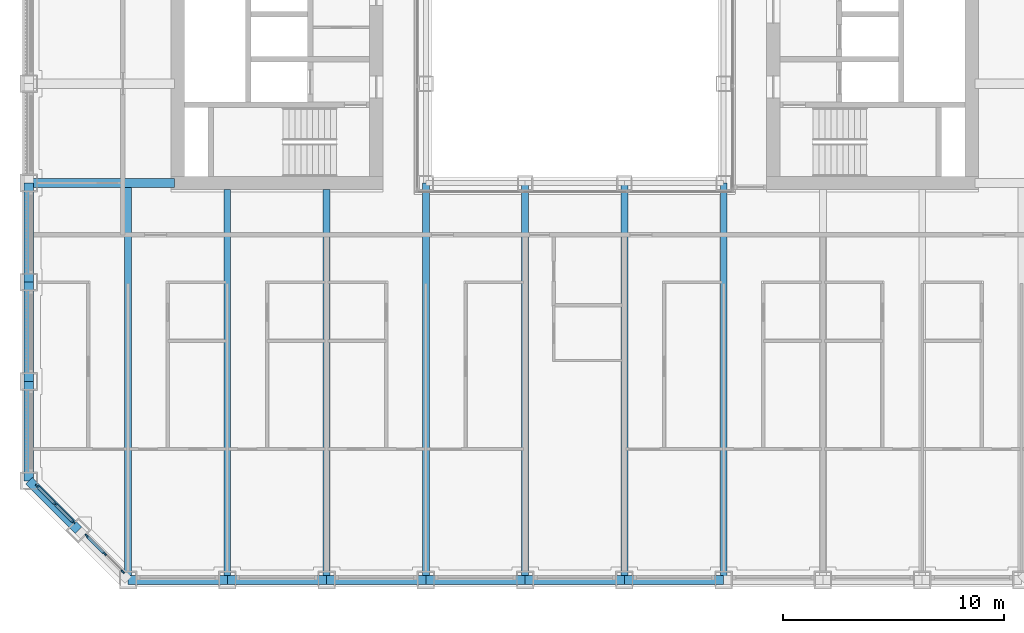
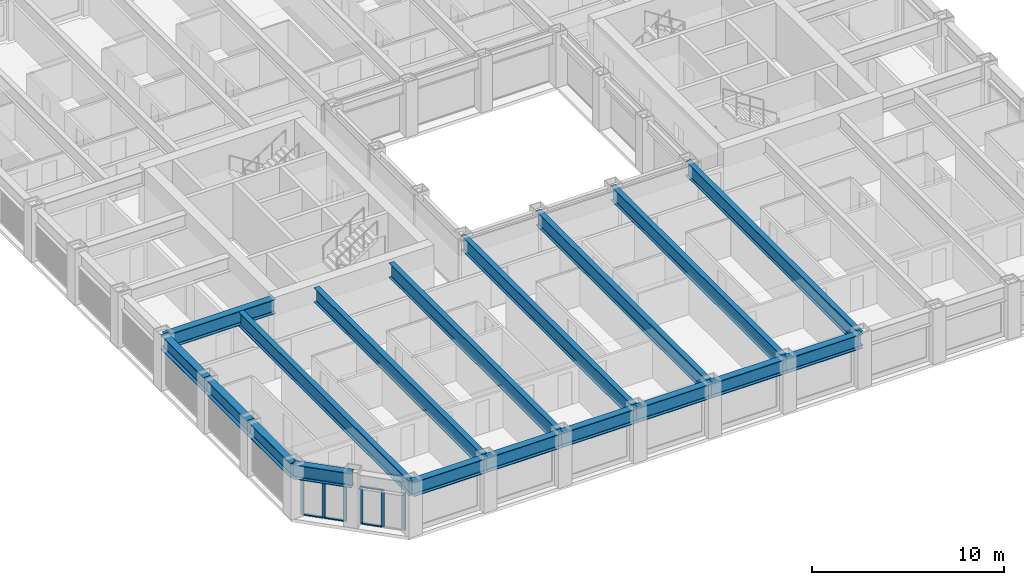
# One storey, part 2 of 21: 18 beams, 12 members, 2 elements without a shape of their own.
"""IFC4 building model written with IfcOpenShell, lengths in metres."""

from ifc_helpers import new_model, si_unit, direction, frame, origin, origin_2d, place, context, subcontext, project, spatial, rectangle, i_section, extrude, material, material_profile, profile_set, type_object, element, aggregate, save


model = new_model("IFC4")

# Units and contexts
model_context = context("Model", 3, precision=1e-05, world=origin(), true_north=direction((0.0, 1.0)))
body_context = subcontext(model_context, "Body", "Model", "MODEL_VIEW")
ifc_project = project(units=[si_unit("LENGTHUNIT", "METRE"), si_unit("AREAUNIT", "SQUARE_METRE"), si_unit("VOLUMEUNIT", "CUBIC_METRE"), si_unit("PLANEANGLEUNIT", "RADIAN"), si_unit("MASSUNIT", "GRAM", prefix="KILO")], contexts=[model_context])

# Site, building, storey
site_placement = place(None, origin())
site = spatial("IfcSite", under=ifc_project, at=site_placement, CompositionType="ELEMENT")
building_placement = place(site_placement, origin())
building = spatial("IfcBuilding", under=site, at=building_placement, Name="Msasa Ring Tower", CompositionType="ELEMENT")
storey_placement = place(building_placement, frame((0.0, 0.0, 75.5)))
storey = spatial("IfcBuildingStorey", under=building, at=storey_placement, Name="L19", CompositionType="ELEMENT", Elevation=75.5)

# Curtain wall, members
ifc_material_1 = material(Name="Aluminium curtain wall with clear glass", Category="aluminium")
curtain_wall_type = type_object("IfcCurtainWallType", Name="CW-C CHAMFER CORNER CURTAIN WALL", PredefinedType="NOTDEFINED", material=ifc_material_1)
curtain_wall_1_placement = place(storey_placement, origin())
curtain_wall_1 = element("IfcCurtainWall", 1, at=curtain_wall_1_placement, inside=storey, type_object=curtain_wall_type, Name="Chamfer corner curtain wall SW L19", PredefinedType="NOTDEFINED")
ifc_material_2 = material(Name="Aluminium mullion", Category="aluminium")
ifc_material_profile_1 = material_profile(ifc_material_2, rectangle(XDim=0.06494140625, YDim=0.179931640625, at=origin_2d()), Name="AL 65x180")
ifc_profile_set_1 = profile_set([ifc_material_profile_1], Name="Aluminium mullion")
member_type_1 = type_object("IfcMemberType", Name="CW-C MULLION 65x180", PredefinedType="MULLION", material=ifc_profile_set_1)
member_1_placement = place(storey_placement, frame((-24.369873046875, -20.48876953125, 0.0), z_axis=(0.0, 0.0, 1.0), x_axis=(0.707106781187, 0.707106781187, 0.0)))
member_1 = element("IfcMember", 2, at=member_1_placement, type_object=member_type_1, Name="CW-C mullion 1", PredefinedType="MULLION", context=body_context, shape_type="SweptSolid", body=[
    extrude(rectangle(XDim=0.06494140625, YDim=0.179931640625, at=origin_2d()), origin(), (0.0, 0.0, 1.0), 2.37890625),
])
member_2_placement = place(storey_placement, frame((-23.55419921875, -21.30419921875, 0.0), z_axis=(0.0, 0.0, 1.0), x_axis=(0.707106781187, 0.707106781187, 0.0)))
member_2 = element("IfcMember", 3, at=member_2_placement, type_object=member_type_1, Name="CW-C mullion 2", PredefinedType="MULLION", context=body_context, shape_type="SweptSolid", body=[
    extrude(rectangle(XDim=0.06494140625, YDim=0.179931640625, at=origin_2d()), origin(), (0.0, 0.0, 1.0), 2.37890625),
])
member_3_placement = place(storey_placement, frame((-22.73876953125, -22.119873046875, 0.0), z_axis=(0.0, 0.0, 1.0), x_axis=(0.707106781187, 0.707106781187, 0.0)))
member_3 = element("IfcMember", 4, at=member_3_placement, type_object=member_type_1, Name="CW-C mullion 3", PredefinedType="MULLION", context=body_context, shape_type="SweptSolid", body=[
    extrude(rectangle(XDim=0.06494140625, YDim=0.179931640625, at=origin_2d()), origin(), (0.0, 0.0, 1.0), 2.37890625),
])

curtain_wall_2_placement = place(storey_placement, origin())
curtain_wall_2 = element("IfcCurtainWall", 5, at=curtain_wall_2_placement, inside=storey, type_object=curtain_wall_type, Name="Chamfer corner curtain wall SW L19", PredefinedType="NOTDEFINED")
member_4_placement = place(storey_placement, frame((-22.119873046875, -22.73876953125, 0.0), z_axis=(0.0, 0.0, 1.0), x_axis=(0.707106781187, 0.707106781187, 0.0)))
member_4 = element("IfcMember", 6, at=member_4_placement, type_object=member_type_1, Name="CW-C mullion 1", PredefinedType="MULLION", context=body_context, shape_type="SweptSolid", body=[
    extrude(rectangle(XDim=0.06494140625, YDim=0.179931640625, at=origin_2d()), origin(), (0.0, 0.0, 1.0), 2.37890625),
])
member_5_placement = place(storey_placement, frame((-21.30419921875, -23.55419921875, 0.0), z_axis=(0.0, 0.0, 1.0), x_axis=(0.707106781187, 0.707106781187, 0.0)))
member_5 = element("IfcMember", 7, at=member_5_placement, type_object=member_type_1, Name="CW-C mullion 2", PredefinedType="MULLION", context=body_context, shape_type="SweptSolid", body=[
    extrude(rectangle(XDim=0.06494140625, YDim=0.179931640625, at=origin_2d()), origin(), (0.0, 0.0, 1.0), 2.37890625),
])
member_6_placement = place(storey_placement, frame((-20.48876953125, -24.369873046875, 0.0), z_axis=(0.0, 0.0, 1.0), x_axis=(0.707106781187, 0.707106781187, 0.0)))
member_6 = element("IfcMember", 8, at=member_6_placement, type_object=member_type_1, Name="CW-C mullion 3", PredefinedType="MULLION", context=body_context, shape_type="SweptSolid", body=[
    extrude(rectangle(XDim=0.06494140625, YDim=0.179931640625, at=origin_2d()), origin(), (0.0, 0.0, 1.0), 2.37890625),
])

# Member
ifc_material_3 = material(Name="Aluminium transom", Category="aluminium")
ifc_material_profile_2 = material_profile(ifc_material_3, rectangle(XDim=0.139892578125, YDim=0.06494140625, at=origin_2d()), Name="AL 65x140")
ifc_profile_set_2 = profile_set([ifc_material_profile_2], Name="Aluminium transom")
member_type_2 = type_object("IfcMemberType", Name="CW-C TRANSOM 65x140", PredefinedType="USERDEFINED", material=ifc_profile_set_2)
member_7_placement = place(storey_placement, frame((-24.346923828125, -20.51171875, 0.032470703125), z_axis=(0.707106781187, -0.707106781187, 0.0), x_axis=(0.707106781187, 0.707106781187, 0.0)))
member_7 = element("IfcMember", 9, at=member_7_placement, type_object=member_type_2, Name="CW-C transom 1.1", ObjectType="TRANSOM", PredefinedType="USERDEFINED", context=body_context, shape_type="SweptSolid", body=[
    extrude(rectangle(XDim=0.139892578125, YDim=0.06494140625, at=origin_2d()), origin(), (0.0, 0.0, 1.0), 1.08837890625),
])

member_8_placement = place(storey_placement, frame((-24.346923828125, -20.51171875, 2.346435546875), z_axis=(0.707106781187, -0.707106781187, 0.0), x_axis=(0.707106781187, 0.707106781187, 0.0)))
member_8 = element("IfcMember", 10, at=member_8_placement, type_object=member_type_2, Name="CW-C transom 1.2", ObjectType="TRANSOM", PredefinedType="USERDEFINED", context=body_context, shape_type="SweptSolid", body=[
    extrude(rectangle(XDim=0.139892578125, YDim=0.06494140625, at=origin_2d()), origin(), (0.0, 0.0, 1.0), 1.08837890625),
])

member_9_placement = place(storey_placement, frame((-23.53125, -21.327392578125, 0.032470703125), z_axis=(0.707106781187, -0.707106781187, 0.0), x_axis=(0.707106781187, 0.707106781187, 0.0)))
member_9 = element("IfcMember", 11, at=member_9_placement, type_object=member_type_2, Name="CW-C transom 2.1", ObjectType="TRANSOM", PredefinedType="USERDEFINED", context=body_context, shape_type="SweptSolid", body=[
    extrude(rectangle(XDim=0.139892578125, YDim=0.06494140625, at=origin_2d()), origin(), (0.0, 0.0, 1.0), 1.08837890625),
])

member_10_placement = place(storey_placement, frame((-23.53125, -21.327392578125, 2.346435546875), z_axis=(0.707106781187, -0.707106781187, 0.0), x_axis=(0.707106781187, 0.707106781187, 0.0)))
member_10 = element("IfcMember", 12, at=member_10_placement, type_object=member_type_2, Name="CW-C transom 2.2", ObjectType="TRANSOM", PredefinedType="USERDEFINED", context=body_context, shape_type="SweptSolid", body=[
    extrude(rectangle(XDim=0.139892578125, YDim=0.06494140625, at=origin_2d()), origin(), (0.0, 0.0, 1.0), 1.08837890625),
])

aggregate(curtain_wall_1, [member_1, member_2, member_3, member_7, member_8, member_9, member_10])

member_11_placement = place(storey_placement, frame((-22.096923828125, -22.76171875, 0.032470703125), z_axis=(0.707106781187, -0.707106781187, 0.0), x_axis=(0.707106781187, 0.707106781187, 0.0)))
member_11 = element("IfcMember", 13, at=member_11_placement, type_object=member_type_2, Name="CW-C transom 1.1", ObjectType="TRANSOM", PredefinedType="USERDEFINED", context=body_context, shape_type="SweptSolid", body=[
    extrude(rectangle(XDim=0.139892578125, YDim=0.06494140625, at=origin_2d()), origin(), (0.0, 0.0, 1.0), 1.08837890625),
])

member_12_placement = place(storey_placement, frame((-22.096923828125, -22.76171875, 2.346435546875), z_axis=(0.707106781187, -0.707106781187, 0.0), x_axis=(0.707106781187, 0.707106781187, 0.0)))
member_12 = element("IfcMember", 14, at=member_12_placement, type_object=member_type_2, Name="CW-C transom 1.2", ObjectType="TRANSOM", PredefinedType="USERDEFINED", context=body_context, shape_type="SweptSolid", body=[
    extrude(rectangle(XDim=0.139892578125, YDim=0.06494140625, at=origin_2d()), origin(), (0.0, 0.0, 1.0), 1.08837890625),
])

aggregate(curtain_wall_2, [member_4, member_5, member_6, member_11, member_12])

# Beams
ifc_material_4 = material(Name="Steel S355", Category="steel")
ifc_material_profile_3 = material_profile(ifc_material_4, i_section(OverallWidth=0.3076171875, OverallDepth=0.926513671875, WebThickness=0.01953125, FlangeThickness=0.031982421875, FilletRadius=0.01904296875, at=origin_2d()), Name="UB 914x305x289")
ifc_profile_set_3 = profile_set([ifc_material_profile_3], Name="Steel S355")
beam_type_1 = type_object("IfcBeamType", Name="FB3 UB 914x305x289", PredefinedType="BEAM", material=ifc_profile_set_3)
beam_1_placement = place(storey_placement, frame((-20.25, -24.75, 2.836669921875), z_axis=(0.0, 1.0, 0.0), x_axis=(-1.0, 0.0, 0.0)))
element("IfcBeam", 15, at=beam_1_placement, inside=storey, type_object=beam_type_1, Name="Floor beam S-20.25 under L20", PredefinedType="BEAM", context=body_context, shape_type="SweptSolid", body=[
    extrude(i_section(OverallWidth=0.3076171875, OverallDepth=0.926513671875, WebThickness=0.01953125, FlangeThickness=0.031982421875, FilletRadius=0.01904296875, at=origin_2d()), origin(), (0.0, 0.0, 1.0), 17.789794921875),
])
for number, where, z_axis, x_axis, name in (
    (16, (-15.75, -24.75, 2.836669921875), (0.0, 1.0, 0.0), (-1.0, 0.0, 0.0), "Floor beam S-15.75 under L20"),
    (17, (-11.25, -24.75, 2.836669921875), (0.0, 1.0, 0.0), (-1.0, 0.0, 0.0), "Floor beam S-11.25 under L20"),
):
    element("IfcBeam", number, at=place(storey_placement, frame(where, z_axis=z_axis, x_axis=x_axis)), inside=storey, type_object=beam_type_1, Name=name, PredefinedType="BEAM", context=body_context, shape_type="SweptSolid", body=[
        extrude(i_section(OverallWidth=0.3076171875, OverallDepth=0.926513671875, WebThickness=0.01953125, FlangeThickness=0.031982421875, FilletRadius=0.01904296875, at=origin_2d()), origin(), (0.0, 0.0, 1.0), 17.699951171875),
    ])
for number, where, z_axis, x_axis, name in (
    (18, (-6.75, -24.75, 2.836669921875), (0.0, 1.0, 0.0), (-1.0, 0.0, 0.0), "Floor beam S-6.75 under L20"),
    (19, (-2.25, -24.75, 2.836669921875), (0.0, 1.0, 0.0), (-1.0, 0.0, 0.0), "Floor beam S-2.25 under L20"),
    (20, (2.25, -24.75, 2.836669921875), (0.0, 1.0, 0.0), (-1.0, 0.0, 0.0), "Floor beam S+2.25 under L20"),
    (21, (6.75, -24.75, 2.836669921875), (0.0, 1.0, 0.0), (-1.0, 0.0, 0.0), "Floor beam S+6.75 under L20"),
):
    element("IfcBeam", number, at=place(storey_placement, frame(where, z_axis=z_axis, x_axis=x_axis)), inside=storey, type_object=beam_type_1, Name=name, PredefinedType="BEAM", context=body_context, shape_type="SweptSolid", body=[
        extrude(i_section(OverallWidth=0.3076171875, OverallDepth=0.926513671875, WebThickness=0.01953125, FlangeThickness=0.031982421875, FilletRadius=0.01904296875, at=origin_2d()), origin(), (0.0, 0.0, 1.0), 18.0),
    ])
ifc_material_5 = material(Name="Steel S355", Category="steel")
ifc_material_profile_4 = material_profile(ifc_material_5, i_section(OverallWidth=0.42041015625, OverallDepth=0.9208984375, WebThickness=0.021484375, FlangeThickness=0.03662109375, FilletRadius=0.024169921875, at=origin_2d()), Name="UB 914x419x388")
ifc_profile_set_4 = profile_set([ifc_material_profile_4], Name="Steel S355")
beam_type_2 = type_object("IfcBeamType", Name="GB1 UB 914x419x388", PredefinedType="BEAM", material=ifc_profile_set_4)
beam_2_placement = place(storey_placement, frame((-18.14990234375, -6.75, 2.839599609375), z_axis=(-1.0, 0.0, 0.0), x_axis=(0.0, -1.0, 0.0)))
element("IfcBeam", 22, at=beam_2_placement, inside=storey, type_object=beam_type_2, Name="Girder W -6.75 under L20", PredefinedType="BEAM", context=body_context, shape_type="SweptSolid", body=[
    extrude(i_section(OverallWidth=0.42041015625, OverallDepth=0.9208984375, WebThickness=0.021484375, FlangeThickness=0.03662109375, FilletRadius=0.024169921875, at=origin_2d()), origin(), (0.0, 0.0, 1.0), 6.60009765625),
])
ifc_material_6 = material(Name="Steel S355", Category="steel")
ifc_material_profile_5 = material_profile(ifc_material_6, i_section(OverallWidth=0.42041015625, OverallDepth=0.9208984375, WebThickness=0.021484375, FlangeThickness=0.03662109375, FilletRadius=0.024169921875, at=origin_2d()), Name="UB 914x419x388")
ifc_profile_set_5 = profile_set([ifc_material_profile_5], Name="Steel S355")
beam_type_3 = type_object("IfcBeamType", Name="SB1 UB 914x419x388", PredefinedType="SPANDREL", material=ifc_profile_set_5)
for number, where, z_axis, x_axis, name in (
    (23, (-24.75, -6.75, 2.839599609375), (0.0, -1.0, 0.0), (1.0, 0.0, 0.0), "Spandrel W-6.75 to W-11.25 under L20"),
    (24, (-24.75, -11.25, 2.839599609375), (0.0, -1.0, 0.0), (1.0, 0.0, 0.0), "Spandrel W-11.25 to W-15.75 under L20"),
    (25, (-24.75, -15.75, 2.839599609375), (0.0, -1.0, 0.0), (1.0, 0.0, 0.0), "Spandrel W-15.75 to W-20.25 under L20"),
):
    element("IfcBeam", number, at=place(storey_placement, frame(where, z_axis=z_axis, x_axis=x_axis)), inside=storey, type_object=beam_type_3, Name=name, PredefinedType="SPANDREL", context=body_context, shape_type="SweptSolid", body=[
        extrude(i_section(OverallWidth=0.42041015625, OverallDepth=0.9208984375, WebThickness=0.021484375, FlangeThickness=0.03662109375, FilletRadius=0.024169921875, at=origin_2d()), origin(), (0.0, 0.0, 1.0), 4.5),
    ])
beam_3_placement = place(storey_placement, frame((-24.75, -20.25, 2.839599609375), z_axis=(0.707106781187, -0.707106781187, 0.0), x_axis=(0.707106781187, 0.707106781187, 0.0)))
element("IfcBeam", 26, at=beam_3_placement, inside=storey, type_object=beam_type_3, Name="Spandrel W-20.25 to SW under L20", PredefinedType="SPANDREL", context=body_context, shape_type="SweptSolid", body=[
    extrude(i_section(OverallWidth=0.42041015625, OverallDepth=0.9208984375, WebThickness=0.021484375, FlangeThickness=0.03662109375, FilletRadius=0.024169921875, at=origin_2d()), origin(), (0.0, 0.0, 1.0), 3.181884765625),
])
for number, where, z_axis, x_axis, name in (
    (27, (-20.25, -24.75, 2.839599609375), (1.0, 0.0, 0.0), (0.0, 1.0, 0.0), "Spandrel S-20.25 to S-15.75 under L20"),
    (28, (-15.75, -24.75, 2.839599609375), (1.0, 0.0, 0.0), (0.0, 1.0, 0.0), "Spandrel S-15.75 to S-11.25 under L20"),
    (29, (-11.25, -24.75, 2.839599609375), (1.0, 0.0, 0.0), (0.0, 1.0, 0.0), "Spandrel S-11.25 to S-6.75 under L20"),
    (30, (-6.75, -24.75, 2.839599609375), (1.0, 0.0, 0.0), (0.0, 1.0, 0.0), "Spandrel S-6.75 to S-2.25 under L20"),
    (31, (-2.25, -24.75, 2.839599609375), (1.0, 0.0, 0.0), (0.0, 1.0, 0.0), "Spandrel S-2.25 to S+2.25 under L20"),
    (32, (2.25, -24.75, 2.839599609375), (1.0, 0.0, 0.0), (0.0, 1.0, 0.0), "Spandrel S+2.25 to S+6.75 under L20"),
):
    element("IfcBeam", number, at=place(storey_placement, frame(where, z_axis=z_axis, x_axis=x_axis)), inside=storey, type_object=beam_type_3, Name=name, PredefinedType="SPANDREL", context=body_context, shape_type="SweptSolid", body=[
        extrude(i_section(OverallWidth=0.42041015625, OverallDepth=0.9208984375, WebThickness=0.021484375, FlangeThickness=0.03662109375, FilletRadius=0.024169921875, at=origin_2d()), origin(), (0.0, 0.0, 1.0), 4.5),
    ])

save(model, "model.ifc")
